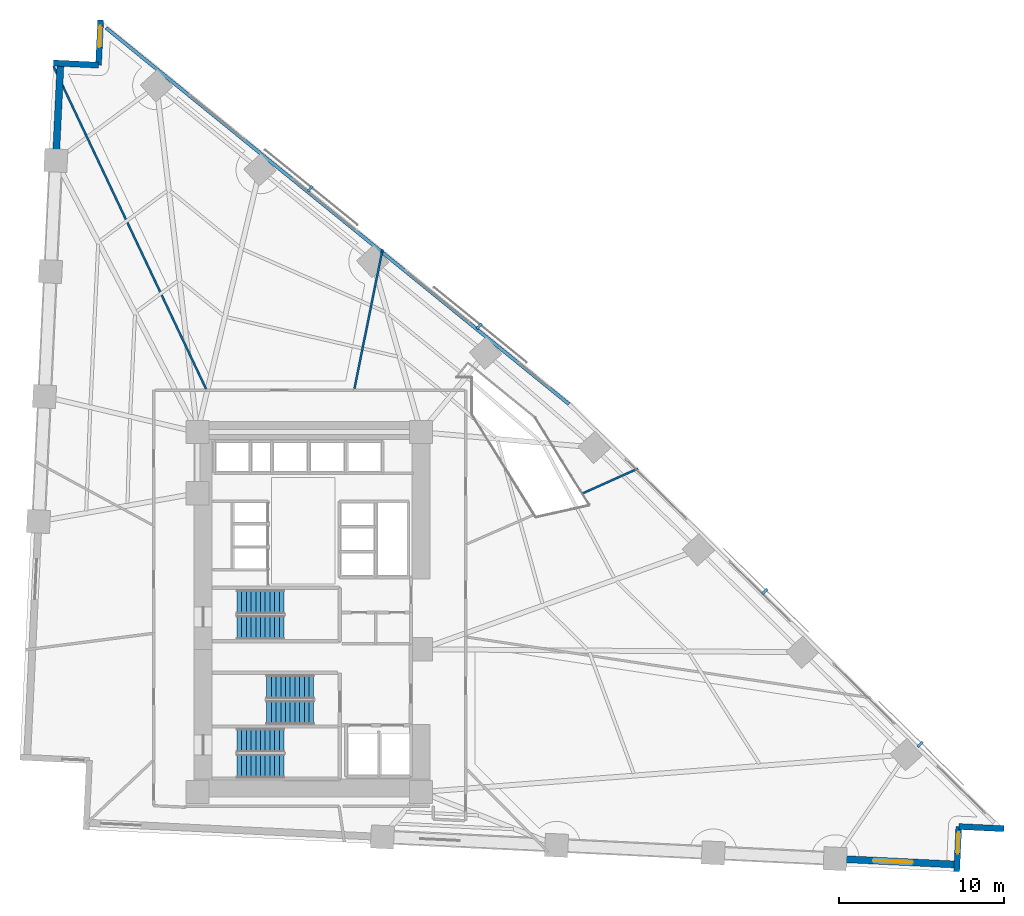
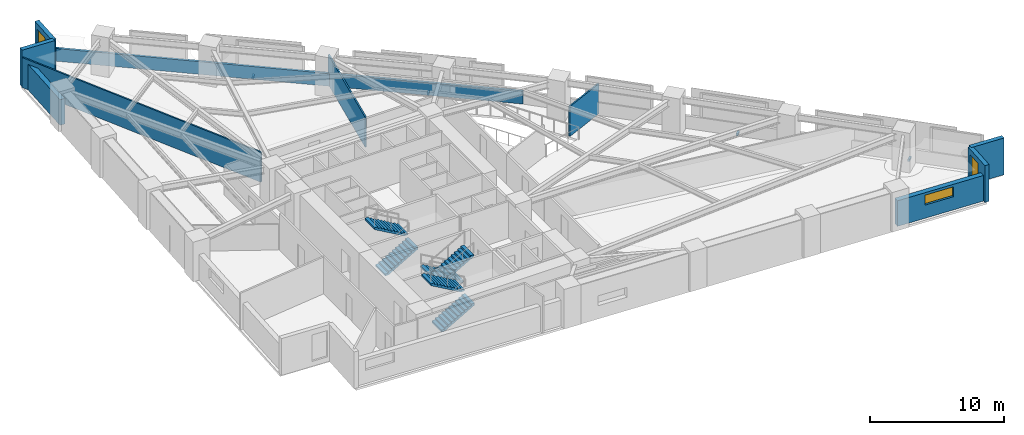
# One storey, part 15 of 17: 10 walls, 6 stair flights, 4 discrete accessories, 3 windows, 3 openings, 3 elements without a shape of their own.
"""IFC4 building model written with IfcOpenShell, lengths in metres."""

from ifc_helpers import new_model, si_unit, direction, frame, frame_2d, origin, origin_2d, place, context, subcontext, project, spatial, polyline, rectangle, outline, extrude, material, layer, layer_set, type_object, element, fill, aggregate, save


model = new_model("IFC4")

# Units and contexts
model_context = context("Model", 3, precision=1e-05, world=origin(), true_north=direction((0.0, 1.0)))
body_context = subcontext(model_context, "Body", "Model", "MODEL_VIEW")
ifc_project = project(units=[si_unit("LENGTHUNIT", "METRE"), si_unit("AREAUNIT", "SQUARE_METRE"), si_unit("VOLUMEUNIT", "CUBIC_METRE"), si_unit("PLANEANGLEUNIT", "RADIAN"), si_unit("MASSUNIT", "GRAM", prefix="KILO")], contexts=[model_context])

# Site, building, storey
site_placement = place(None, origin())
site = spatial("IfcSite", under=ifc_project, at=site_placement, CompositionType="ELEMENT")
building_placement = place(site_placement, origin())
building = spatial("IfcBuilding", under=site, at=building_placement, Name="Narakoshi Arena Tower", CompositionType="ELEMENT")
storey_placement = place(building_placement, frame((0.0, 0.0, 33.89990234375)))
storey = spatial("IfcBuildingStorey", under=building, at=storey_placement, Name="L08", CompositionType="ELEMENT", Elevation=33.89990234375)

# Walls
ifc_material_1 = material(Name="Precast concrete C45/55", Category="concrete")
ifc_layer_1 = layer(ifc_material_1, 0.25)
ifc_layer_set_1 = layer_set([ifc_layer_1], Name="Precast concrete C45/55")
wall_type_1 = type_object("IfcWallType", Name="WL-PARA-250", PredefinedType="PARAPET", material=ifc_layer_set_1)
wall_1_placement = place(storey_placement, frame((94.51318359375, 58.19580078125, 0.0), z_axis=(0.0, 0.0, 1.0), x_axis=(-0.776001602097, 0.630730935933, 0.0)))
element("IfcWall", 1, at=wall_1_placement, inside=storey, type_object=wall_type_1, Name="L08 Hypotenuse Sill Upstand Parapet 2-01", PredefinedType="PARAPET", context=body_context, shape_type="SweptSolid", body=[
    extrude(rectangle(XDim=36.14794921875, YDim=0.199951171875, at=frame_2d((18.073974609375, 0.0))), origin(), (0.0, 0.0, 1.0), 1.150146484375),
])
ifc_material_2 = material(Name="Gypsum plasterboard fire-rated partition")
ifc_layer_2 = layer(ifc_material_2, 0.125)
ifc_layer_set_2 = layer_set([ifc_layer_2], Name="Gypsum plasterboard fire-rated partition")
wall_type_2 = type_object("IfcWallType", Name="WL-PART-125", PredefinedType="PARTITIONING", material=ifc_layer_set_2)
wall_2_placement = place(storey_placement, frame((95.3408203125, 52.791259765625, 0.0), z_axis=(0.0, 0.0, 1.0), x_axis=(0.912267509973, 0.409594909939, 0.0)))
element("IfcWall", 2, at=wall_2_placement, inside=storey, type_object=wall_type_2, Name="L08 Inter-Room Partition 05-06", PredefinedType="PARTITIONING", context=body_context, shape_type="SweptSolid", body=[
    extrude(rectangle(XDim=3.679931640625, YDim=0.125, at=frame_2d((1.83984375, 0.0))), origin(), (0.0, 0.0, 1.0), 2.72509765625),
])
wall_3_placement = place(storey_placement, frame((81.517333984375, 59.136962890625, 0.0), z_axis=(0.0, 0.0, 1.0), x_axis=(0.197625635317, 0.98027756695, 0.0)))
element("IfcWall", 3, at=wall_3_placement, inside=storey, type_object=wall_type_2, Name="L08 Inter-Room Partition 06-07", PredefinedType="PARTITIONING", context=body_context, shape_type="SweptSolid", body=[
    extrude(rectangle(XDim=8.6142578125, YDim=0.125, at=frame_2d((4.30712890625, 0.0))), origin(), (0.0, 0.0, 1.0), 2.72509765625),
])
wall_4_placement = place(storey_placement, frame((72.530517578125, 59.11328125, 0.0), z_axis=(0.0, 0.0, 1.0), x_axis=(-0.427453532298, 0.904037320981, 0.0)))
element("IfcWall", 4, at=wall_4_placement, inside=storey, type_object=wall_type_2, Name="L08 Inter-Room Partition 07-08", PredefinedType="PARTITIONING", context=body_context, shape_type="SweptSolid", body=[
    extrude(rectangle(XDim=21.64599609375, YDim=0.125, at=frame_2d((10.822998046875, 0.0))), origin(), (0.0, 0.0, 1.0), 2.72509765625),
])

# Wall, opening, window
ifc_layer_3 = layer(ifc_material_1, 0.419921875)
ifc_layer_set_3 = layer_set([ifc_layer_3], Name="Precast concrete C45/55")
wall_type_3 = type_object("IfcWallType", Name="WL-POD-420", PredefinedType="SOLIDWALL", material=ifc_layer_set_3)
wall_5_placement = place(storey_placement, frame((110.636474609375, 30.661865234375, 0.0), z_axis=(0.0, 0.0, 1.0), x_axis=(0.998847872759, -0.047988822508, 0.0)))
wall_5 = element("IfcWall", 5, at=wall_5_placement, inside=storey, type_object=wall_type_3, Name="L08 Architectural Concrete Facade Wall LEGA-3", PredefinedType="SOLIDWALL", context=body_context, shape_type="SweptSolid", body=[
    extrude(rectangle(XDim=7.39208984375, YDim=0.419921875, at=frame_2d((3.696044921875, 0.0))), origin(), (0.0, 0.0, 1.0), 2.3251953125),
])
opening_1_placement = place(wall_5_placement, frame((2.300048828125, 0.0, 1.199951171875)))
opening_1 = element("IfcOpeningElement", 6, at=opening_1_placement, cuts=wall_5, Name="Opening WN-01", PredefinedType="OPENING", context=body_context, shape_type="SweptSolid", body=[
    extrude(rectangle(XDim=2.39990234375, YDim=0.89990234375, at=frame_2d((1.199951171875, 0.449951171875))), frame((0.0, 0.219970703125, 0.0), z_axis=(0.0, -1.0, 0.0), x_axis=(1.0, 0.0, 0.0)), (0.0, 0.0, 1.0), 0.43994140625),
])
ifc_material_3 = material(Name="Bronze-tinted low-E laminated glass", Category="glass")
window_type_1 = type_object("IfcWindowType", Name="WIN-SLT-24x09", PartitioningType="SINGLE_PANEL", PredefinedType="WINDOW", material=ifc_material_3)
window_1_placement = place(opening_1_placement, origin())
window_1 = element("IfcWindow", 7, at=window_1_placement, inside=storey, type_object=window_type_1, Name="L08 LEGA3 Horizontal Slot Window 1", OverallHeight=0.89990234375, OverallWidth=2.39990234375, PartitioningType="SINGLE_PANEL", PredefinedType="WINDOW", context=body_context, shape_type="SweptSolid", body=[
    extrude(rectangle(XDim=2.39990234375, YDim=0.89990234375, at=frame_2d((1.199951171875, 0.449951171875))), frame((0.0, 0.030029296875, 0.0), z_axis=(0.0, -1.0, 0.0), x_axis=(1.0, 0.0, 0.0)), (0.0, 0.0, 1.0), 0.06005859375),
])
fill(opening_1, window_1)

# Wall
wall_6_placement = place(storey_placement, frame((63.711181640625, 78.84375, 0.0), z_axis=(0.0, 0.0, 1.0), x_axis=(-0.048007946398, -0.998846953784, 0.0)))
element("IfcWall", 8, at=wall_6_placement, inside=storey, type_object=wall_type_3, Name="L08 Architectural Concrete Facade Wall LEGB-1", PredefinedType="SOLIDWALL", context=body_context, shape_type="SweptSolid", body=[
    extrude(rectangle(XDim=5.89404296875, YDim=0.419921875, at=frame_2d((2.947021484375, 0.0))), origin(), (0.0, 0.0, 1.0), 2.3251953125),
])

# Wall, opening, window
wall_7_placement = place(storey_placement, frame((117.99951171875, 29.8828125, 0.0), z_axis=(0.0, 0.0, 1.0), x_axis=(0.048024030708, 0.998846180588, 0.0)))
wall_7 = element("IfcWall", 9, at=wall_7_placement, inside=storey, type_object=wall_type_3, Name="L08 Re-Entrant Corner Notch Wall NTE-1", PredefinedType="SOLIDWALL", context=body_context, shape_type="SweptSolid", body=[
    extrude(rectangle(XDim=2.72998046875, YDim=0.360107421875, at=frame_2d((1.364990234375, 0.0))), origin(), (0.0, 0.0, 1.0), 3.340087890625),
])
opening_2_placement = place(wall_7_placement, frame((1.090087890625, 0.0, 0.449951171875)))
opening_2 = element("IfcOpeningElement", 10, at=opening_2_placement, cuts=wall_7, Name="Opening WN-06", PredefinedType="OPENING", context=body_context, shape_type="SweptSolid", body=[
    extrude(rectangle(XDim=1.300048828125, YDim=2.39990234375, at=frame_2d((0.64990234375, 1.199951171875))), frame((0.0, 0.18994140625, 0.0), z_axis=(0.0, -1.0, 0.0), x_axis=(1.0, 0.0, 0.0)), (0.0, 0.0, 1.0), 0.380126953125),
])
window_type_2 = type_object("IfcWindowType", Name="WIN-NTC-16x24", PartitioningType="SINGLE_PANEL", PredefinedType="WINDOW", material=ifc_material_3)
window_2_placement = place(opening_2_placement, origin())
window_2 = element("IfcWindow", 11, at=window_2_placement, inside=storey, type_object=window_type_2, Name="L08 Corner Notch Window NTE", OverallHeight=2.39990234375, OverallWidth=1.300048828125, PartitioningType="SINGLE_PANEL", PredefinedType="WINDOW", context=body_context, shape_type="SweptSolid", body=[
    extrude(rectangle(XDim=1.300048828125, YDim=2.39990234375, at=frame_2d((0.64990234375, 1.199951171875))), frame((0.0, 0.030029296875, 0.0), z_axis=(0.0, -1.0, 0.0), x_axis=(1.0, 0.0, 0.0)), (0.0, 0.0, 1.0), 0.06005859375),
])
fill(opening_2, window_2)

# Wall
wall_8_placement = place(storey_placement, frame((118.130615234375, 32.609619140625, 0.0), z_axis=(0.0, 0.0, 1.0), x_axis=(0.998846180588, -0.048024030708, 0.0)))
element("IfcWall", 12, at=wall_8_placement, inside=storey, type_object=wall_type_3, Name="L08 Re-Entrant Corner Notch Wall NTE-2", PredefinedType="SOLIDWALL", context=body_context, shape_type="SweptSolid", body=[
    extrude(rectangle(XDim=2.72998046875, YDim=0.360107421875, at=frame_2d((1.364990234375, 0.0))), origin(), (0.0, 0.0, 1.0), 3.340087890625),
])

# Wall, opening, window
wall_9_placement = place(storey_placement, frame((66.144287109375, 81.4599609375, 0.0), z_axis=(0.0, 0.0, 1.0), x_axis=(-0.047934806162, -0.998850466465, 0.0)))
wall_9 = element("IfcWall", 13, at=wall_9_placement, inside=storey, type_object=wall_type_3, Name="L08 Re-Entrant Corner Notch Wall NTN-1", PredefinedType="SOLIDWALL", context=body_context, shape_type="SweptSolid", body=[
    extrude(rectangle(XDim=2.72998046875, YDim=0.360107421875, at=frame_2d((1.364990234375, 0.0))), origin(), (0.0, 0.0, 1.0), 3.340087890625),
])
opening_3_placement = place(wall_9_placement, frame((0.340087890625, 0.0, 0.449951171875)))
opening_3 = element("IfcOpeningElement", 14, at=opening_3_placement, cuts=wall_9, Name="Opening WN-06", PredefinedType="OPENING", context=body_context, shape_type="SweptSolid", body=[
    extrude(rectangle(XDim=1.300048828125, YDim=2.39990234375, at=frame_2d((0.64990234375, 1.199951171875))), frame((0.0, 0.18994140625, 0.0), z_axis=(0.0, -1.0, 0.0), x_axis=(1.0, 0.0, 0.0)), (0.0, 0.0, 1.0), 0.380126953125),
])
window_3_placement = place(opening_3_placement, origin())
window_3 = element("IfcWindow", 15, at=window_3_placement, inside=storey, type_object=window_type_2, Name="L08 Corner Notch Window NTN", OverallHeight=2.39990234375, OverallWidth=1.300048828125, PartitioningType="SINGLE_PANEL", PredefinedType="WINDOW", context=body_context, shape_type="SweptSolid", body=[
    extrude(rectangle(XDim=1.300048828125, YDim=2.39990234375, at=frame_2d((0.64990234375, 1.199951171875))), frame((0.0, 0.030029296875, 0.0), z_axis=(0.0, -1.0, 0.0), x_axis=(1.0, 0.0, 0.0)), (0.0, 0.0, 1.0), 0.06005859375),
])
fill(opening_3, window_3)

# Wall
wall_10_placement = place(storey_placement, frame((66.013427734375, 78.733154296875, 0.0), z_axis=(0.0, 0.0, 1.0), x_axis=(-0.998846180588, 0.048024030708, 0.0)))
element("IfcWall", 16, at=wall_10_placement, inside=storey, type_object=wall_type_3, Name="L08 Re-Entrant Corner Notch Wall NTN-2", PredefinedType="SOLIDWALL", context=body_context, shape_type="SweptSolid", body=[
    extrude(rectangle(XDim=2.72998046875, YDim=0.360107421875, at=frame_2d((1.364990234375, 0.0))), origin(), (0.0, 0.0, 1.0), 3.340087890625),
])

# Stair, stair flights
ifc_material_4 = material(Name="Concrete C45/55", Category="concrete")
stair_type = type_object("IfcStairType", Name="STR-CORE-360", PredefinedType="TWO_STRAIGHT_RUN_STAIR", material=ifc_material_4)
stair_1_placement = place(storey_placement, origin())
stair_1 = element("IfcStair", 17, at=stair_1_placement, inside=storey, type_object=stair_type, Name="L08 Core Escape Stair ST1", PredefinedType="TWO_STRAIGHT_RUN_STAIR")
stair_flight_type = type_object("IfcStairFlightType", Name="FLT-145-160", PredefinedType="STRAIGHT", material=ifc_material_1)
stair_flight_1_placement = place(storey_placement, frame((74.39990234375, 36.27490234375, 0.0), z_axis=(0.0, 0.0, 1.0), x_axis=(1.0, 0.0, 0.0)))
stair_flight_1 = element("IfcStairFlight", 18, at=stair_flight_1_placement, type_object=stair_flight_type, Name="ST1 flight 1", NumberOfRisers=11, NumberOfTreads=10, PredefinedType="STRAIGHT", RiserHeight=0.163636364, TreadLength=0.285, context=body_context, shape_type="SweptSolid", body=[
    extrude(outline(polyline([(0.0, 0.0), (0.0, 0.16357421875), (0.284912109375, 0.16357421875), (0.284912109375, 0.327392578125), (0.570068359375, 0.327392578125), (0.570068359375, 0.490966796875), (0.85498046875, 0.490966796875), (0.85498046875, 0.654541015625), (1.139892578125, 0.654541015625), (1.139892578125, 0.818115234375), (1.425048828125, 0.818115234375), (1.425048828125, 0.98193359375), (1.7099609375, 0.98193359375), (1.7099609375, 1.1455078125), (1.9951171875, 1.1455078125), (1.9951171875, 1.30908203125), (2.280029296875, 1.30908203125), (2.280029296875, 1.47265625), (2.56494140625, 1.47265625), (2.56494140625, 1.636474609375), (2.85009765625, 1.636474609375), (2.85009765625, 1.800048828125), (2.85009765625, 1.463623046875), (0.301025390625, 0.0), (0.0, 0.0)])), frame((0.0, 0.72509765625, 0.0), z_axis=(0.0, -1.0, 0.0), x_axis=(1.0, 0.0, 0.0)), (0.0, 0.0, 1.0), 1.449951171875),
])
stair_flight_2_placement = place(storey_placement, frame((77.25, 37.824951171875, 1.800048828125), z_axis=(0.0, 0.0, 1.0), x_axis=(-1.0, 0.0, 0.0)))
stair_flight_2 = element("IfcStairFlight", 19, at=stair_flight_2_placement, type_object=stair_flight_type, Name="ST1 flight 2", NumberOfRisers=11, NumberOfTreads=10, PredefinedType="STRAIGHT", RiserHeight=0.163636364, TreadLength=0.285, context=body_context, shape_type="SweptSolid", body=[
    extrude(outline(polyline([(0.0, 0.0), (0.0, 0.16357421875), (0.284912109375, 0.16357421875), (0.284912109375, 0.327392578125), (0.570068359375, 0.327392578125), (0.570068359375, 0.490966796875), (0.85498046875, 0.490966796875), (0.85498046875, 0.654541015625), (1.139892578125, 0.654541015625), (1.139892578125, 0.818115234375), (1.425048828125, 0.818115234375), (1.425048828125, 0.98193359375), (1.7099609375, 0.98193359375), (1.7099609375, 1.1455078125), (1.9951171875, 1.1455078125), (1.9951171875, 1.30908203125), (2.280029296875, 1.30908203125), (2.280029296875, 1.47265625), (2.56494140625, 1.47265625), (2.56494140625, 1.636474609375), (2.85009765625, 1.636474609375), (2.85009765625, 1.800048828125), (2.85009765625, 1.463623046875), (0.301025390625, 0.0), (0.0, 0.0)])), frame((0.0, 0.72509765625, 0.0), z_axis=(0.0, -1.0, 0.0), x_axis=(1.0, 0.0, 0.0)), (0.0, 0.0, 1.0), 1.449951171875),
])
aggregate(stair_1, [stair_flight_1, stair_flight_2])

stair_2_placement = place(storey_placement, origin())
stair_2 = element("IfcStair", 20, at=stair_2_placement, inside=storey, type_object=stair_type, Name="L08 Core Escape Stair ST2", PredefinedType="TWO_STRAIGHT_RUN_STAIR")
stair_flight_3_placement = place(storey_placement, frame((79.050048828125, 41.074951171875, 0.0), z_axis=(0.0, 0.0, 1.0), x_axis=(-1.0, 0.0, 0.0)))
stair_flight_3 = element("IfcStairFlight", 21, at=stair_flight_3_placement, type_object=stair_flight_type, Name="ST2 flight 1", NumberOfRisers=11, NumberOfTreads=10, PredefinedType="STRAIGHT", RiserHeight=0.163636364, TreadLength=0.285, context=body_context, shape_type="SweptSolid", body=[
    extrude(outline(polyline([(0.0, 0.0), (0.0, 0.16357421875), (0.284912109375, 0.16357421875), (0.284912109375, 0.327392578125), (0.570068359375, 0.327392578125), (0.570068359375, 0.490966796875), (0.85498046875, 0.490966796875), (0.85498046875, 0.654541015625), (1.139892578125, 0.654541015625), (1.139892578125, 0.818115234375), (1.425048828125, 0.818115234375), (1.425048828125, 0.98193359375), (1.7099609375, 0.98193359375), (1.7099609375, 1.1455078125), (1.9951171875, 1.1455078125), (1.9951171875, 1.30908203125), (2.280029296875, 1.30908203125), (2.280029296875, 1.47265625), (2.56494140625, 1.47265625), (2.56494140625, 1.636474609375), (2.85009765625, 1.636474609375), (2.85009765625, 1.800048828125), (2.85009765625, 1.463623046875), (0.301025390625, 0.0), (0.0, 0.0)])), frame((0.0, 0.72509765625, 0.0), z_axis=(0.0, -1.0, 0.0), x_axis=(1.0, 0.0, 0.0)), (0.0, 0.0, 1.0), 1.449951171875),
])
stair_flight_4_placement = place(storey_placement, frame((76.199951171875, 39.52490234375, 1.800048828125), z_axis=(0.0, 0.0, 1.0), x_axis=(1.0, 0.0, 0.0)))
stair_flight_4 = element("IfcStairFlight", 22, at=stair_flight_4_placement, type_object=stair_flight_type, Name="ST2 flight 2", NumberOfRisers=11, NumberOfTreads=10, PredefinedType="STRAIGHT", RiserHeight=0.163636364, TreadLength=0.285, context=body_context, shape_type="SweptSolid", body=[
    extrude(outline(polyline([(0.0, 0.0), (0.0, 0.16357421875), (0.284912109375, 0.16357421875), (0.284912109375, 0.327392578125), (0.570068359375, 0.327392578125), (0.570068359375, 0.490966796875), (0.85498046875, 0.490966796875), (0.85498046875, 0.654541015625), (1.139892578125, 0.654541015625), (1.139892578125, 0.818115234375), (1.425048828125, 0.818115234375), (1.425048828125, 0.98193359375), (1.7099609375, 0.98193359375), (1.7099609375, 1.1455078125), (1.9951171875, 1.1455078125), (1.9951171875, 1.30908203125), (2.280029296875, 1.30908203125), (2.280029296875, 1.47265625), (2.56494140625, 1.47265625), (2.56494140625, 1.636474609375), (2.85009765625, 1.636474609375), (2.85009765625, 1.800048828125), (2.85009765625, 1.463623046875), (0.301025390625, 0.0), (0.0, 0.0)])), frame((0.0, 0.72509765625, 0.0), z_axis=(0.0, -1.0, 0.0), x_axis=(1.0, 0.0, 0.0)), (0.0, 0.0, 1.0), 1.449951171875),
])
aggregate(stair_2, [stair_flight_3, stair_flight_4])

stair_3_placement = place(storey_placement, origin())
stair_3 = element("IfcStair", 23, at=stair_3_placement, inside=storey, type_object=stair_type, Name="L08 Core Escape Stair ST3", PredefinedType="TWO_STRAIGHT_RUN_STAIR")
stair_flight_5_placement = place(storey_placement, frame((74.39990234375, 44.675048828125, 0.0), z_axis=(0.0, 0.0, 1.0), x_axis=(1.0, 0.0, 0.0)))
stair_flight_5 = element("IfcStairFlight", 24, at=stair_flight_5_placement, type_object=stair_flight_type, Name="ST3 flight 1", NumberOfRisers=11, NumberOfTreads=10, PredefinedType="STRAIGHT", RiserHeight=0.163636364, TreadLength=0.285, context=body_context, shape_type="SweptSolid", body=[
    extrude(outline(polyline([(0.0, 0.0), (0.0, 0.16357421875), (0.284912109375, 0.16357421875), (0.284912109375, 0.327392578125), (0.570068359375, 0.327392578125), (0.570068359375, 0.490966796875), (0.85498046875, 0.490966796875), (0.85498046875, 0.654541015625), (1.139892578125, 0.654541015625), (1.139892578125, 0.818115234375), (1.425048828125, 0.818115234375), (1.425048828125, 0.98193359375), (1.7099609375, 0.98193359375), (1.7099609375, 1.1455078125), (1.9951171875, 1.1455078125), (1.9951171875, 1.30908203125), (2.280029296875, 1.30908203125), (2.280029296875, 1.47265625), (2.56494140625, 1.47265625), (2.56494140625, 1.636474609375), (2.85009765625, 1.636474609375), (2.85009765625, 1.800048828125), (2.85009765625, 1.463623046875), (0.301025390625, 0.0), (0.0, 0.0)])), frame((0.0, 0.72509765625, 0.0), z_axis=(0.0, -1.0, 0.0), x_axis=(1.0, 0.0, 0.0)), (0.0, 0.0, 1.0), 1.449951171875),
])
stair_flight_6_placement = place(storey_placement, frame((77.25, 46.22509765625, 1.800048828125), z_axis=(0.0, 0.0, 1.0), x_axis=(-1.0, 0.0, 0.0)))
stair_flight_6 = element("IfcStairFlight", 25, at=stair_flight_6_placement, type_object=stair_flight_type, Name="ST3 flight 2", NumberOfRisers=11, NumberOfTreads=10, PredefinedType="STRAIGHT", RiserHeight=0.163636364, TreadLength=0.285, context=body_context, shape_type="SweptSolid", body=[
    extrude(outline(polyline([(0.0, 0.0), (0.0, 0.16357421875), (0.284912109375, 0.16357421875), (0.284912109375, 0.327392578125), (0.570068359375, 0.327392578125), (0.570068359375, 0.490966796875), (0.85498046875, 0.490966796875), (0.85498046875, 0.654541015625), (1.139892578125, 0.654541015625), (1.139892578125, 0.818115234375), (1.425048828125, 0.818115234375), (1.425048828125, 0.98193359375), (1.7099609375, 0.98193359375), (1.7099609375, 1.1455078125), (1.9951171875, 1.1455078125), (1.9951171875, 1.30908203125), (2.280029296875, 1.30908203125), (2.280029296875, 1.47265625), (2.56494140625, 1.47265625), (2.56494140625, 1.636474609375), (2.85009765625, 1.636474609375), (2.85009765625, 1.800048828125), (2.85009765625, 1.463623046875), (0.301025390625, 0.0), (0.0, 0.0)])), frame((0.0, 0.72509765625, 0.0), z_axis=(0.0, -1.0, 0.0), x_axis=(1.0, 0.0, 0.0)), (0.0, 0.0, 1.0), 1.449951171875),
])
aggregate(stair_3, [stair_flight_5, stair_flight_6])

# Discrete accessories
ifc_material_5 = material(Name="Structural steel S355J2", Category="steel")
discrete_accessory_type = type_object("IfcDiscreteAccessoryType", Name="ACC-BRK-SCR", PredefinedType="BRACKET", material=ifc_material_5)
for number, where, z_axis, x_axis, name in (
    (26, (115.783203125, 37.58740234375, -0.080078125), (0.0, 0.0, 1.0), (-0.712540559713, 0.70163092204, 0.0), "L08 Solar Screen Support Bracket SHD-L08-SCR1-1"),
    (27, (106.377685546875, 46.848876953125, -0.080078125), (0.0, 0.0, 1.0), (-0.712540559713, 0.70163092204, 0.0), "L08 Solar Screen Support Bracket SHD-L08-SCR1-2"),
    (28, (89.077392578125, 62.923095703125, -0.080078125), (0.0, 0.0, 1.0), (-0.776002375698, 0.630729984154, 0.0), "L08 Solar Screen Support Bracket SHD-L08-SCR2-1"),
    (29, (78.833984375, 71.248779296875, -0.080078125), (0.0, 0.0, 1.0), (-0.776002375698, 0.630729984154, 0.0), "L08 Solar Screen Support Bracket SHD-L08-SCR2-2"),
):
    element("IfcDiscreteAccessory", number, at=place(storey_placement, frame(where, z_axis=z_axis, x_axis=x_axis)), inside=storey, type_object=discrete_accessory_type, Name=name, PredefinedType="BRACKET", context=body_context, shape_type="SweptSolid", body=[
        extrude(rectangle(XDim=0.159912109375, YDim=0.425048828125, at=origin_2d()), origin(), (0.0, 0.0, 1.0), 0.199951171875),
    ])

save(model, "model.ifc")
